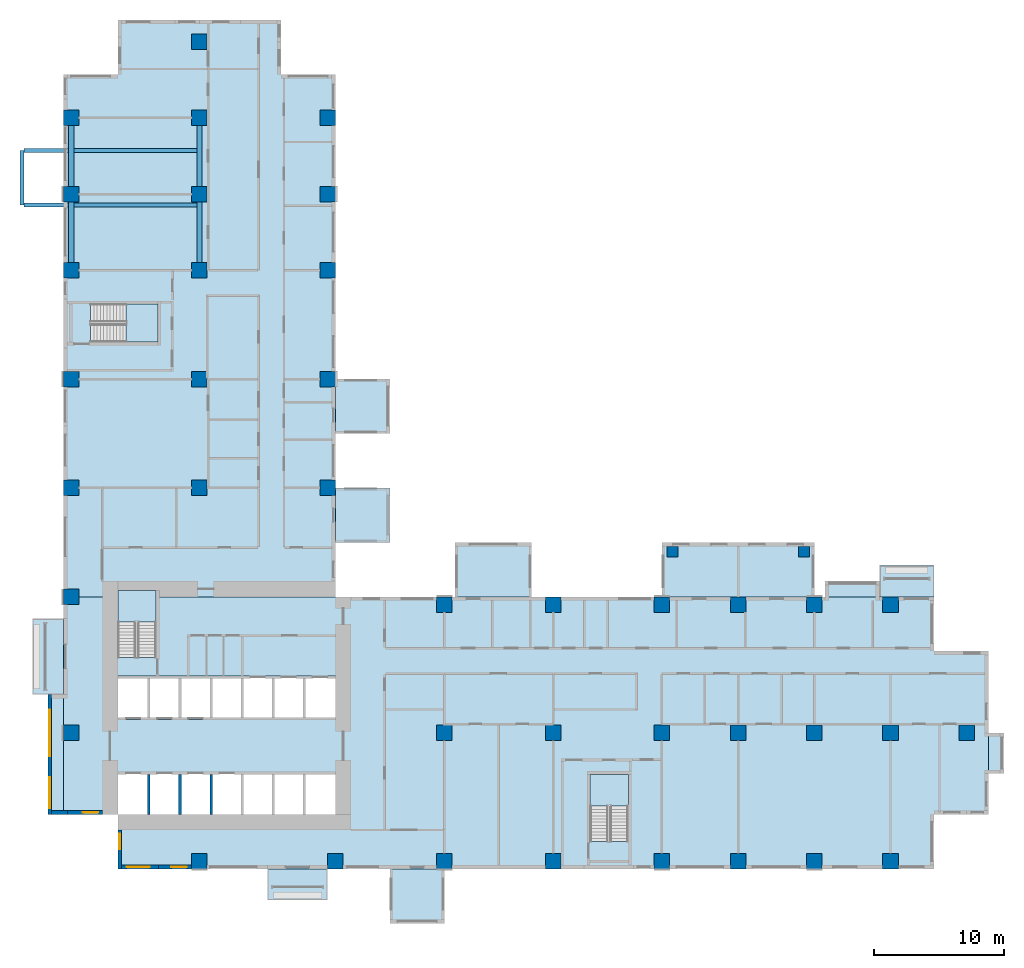
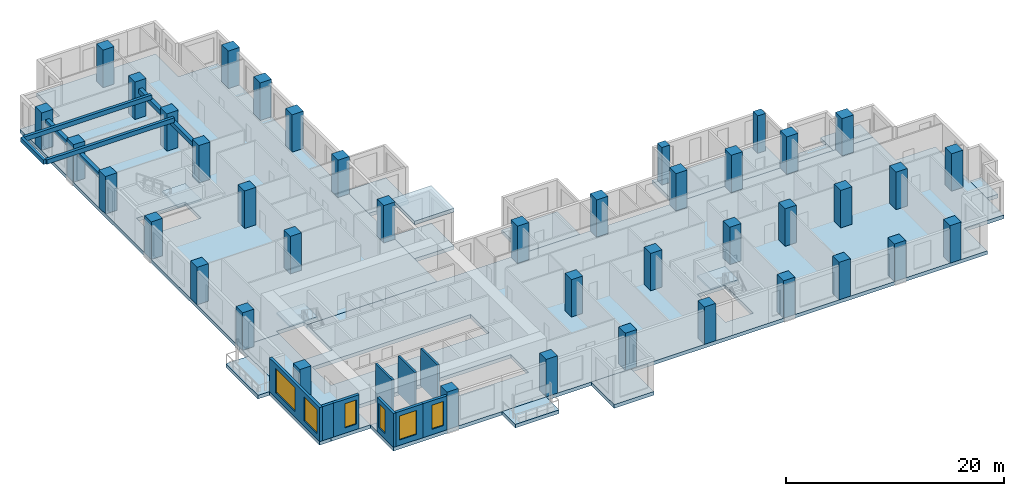
# One storey, part 1 of 15: 41 columns, 17 slabs, 9 walls, 7 beams, 6 windows, 6 openings, 3 elements without a shape of their own.
"""IFC4 building model written with IfcOpenShell, lengths in metres."""

from ifc_helpers import new_model, si_unit, direction, frame, frame_2d, origin, origin_2d, place, context, subcontext, project, spatial, polyline, rectangle, outline, extrude, source, transform, mapped, material, layer, layer_set, material_profile, profile_set, type_object, element, fill, aggregate, save


model = new_model("IFC4")

# Units and contexts
model_context = context("Model", 3, precision=1e-05, world=origin(), true_north=direction((0.0, 1.0)))
body_context = subcontext(model_context, "Body", "Model", "MODEL_VIEW")
ifc_project = project(units=[si_unit("LENGTHUNIT", "METRE"), si_unit("AREAUNIT", "SQUARE_METRE"), si_unit("VOLUMEUNIT", "CUBIC_METRE"), si_unit("PLANEANGLEUNIT", "RADIAN"), si_unit("MASSUNIT", "GRAM", prefix="KILO")], contexts=[model_context])

# Site, building, storey
site_placement = place(None, origin())
site = spatial("IfcSite", under=ifc_project, at=site_placement, CompositionType="ELEMENT")
building_placement = place(site_placement, origin())
building = spatial("IfcBuilding", under=site, at=building_placement, Name="Aurelian Terraces", CompositionType="ELEMENT")
storey_placement = place(building_placement, frame((0.0, 0.0, 65.7)))
storey = spatial("IfcBuildingStorey", under=building, at=storey_placement, Name="L13", CompositionType="ELEMENT", Elevation=65.7)

# Columns
ifc_material_1 = material(Name="Concrete fc' 83 MPa", Category="concrete")
ifc_material_profile_1 = material_profile(ifc_material_1, rectangle(XDim=1.2, YDim=1.2, at=origin_2d()))
ifc_profile_set_1 = profile_set([ifc_material_profile_1], Name="Concrete fc' 83 MPa")
column_type_1 = type_object("IfcColumnType", Name="RC COLUMN 1200X1200 FC83", PredefinedType="COLUMN", material=ifc_profile_set_1)
shared_shape_1 = source(origin(), body_context, "Body", "SweptSolid", [
    extrude(rectangle(XDim=1.2, YDim=1.2, at=origin_2d()), origin(), (0.0, 0.0, 1.0), 4.2),
])
for number, where, z_axis, x_axis, name in (
    (1, (10.5, 0.6, 0.0), (0.0, 0.0, 1.0), (1.0, 0.0, 0.0), "Column 2/A L13"),
    (2, (21.0, 0.6, 0.0), (0.0, 0.0, 1.0), (1.0, 0.0, 0.0), "Column 3/A L13"),
    (3, (29.4, 0.6, 0.0), (0.0, 0.0, 1.0), (1.0, 0.0, 0.0), "Column 4/A L13"),
    (4, (37.8, 0.6, 0.0), (0.0, 0.0, 1.0), (1.0, 0.0, 0.0), "Column 5/A L13"),
    (5, (46.2, 0.6, 0.0), (0.0, 0.0, 1.0), (1.0, 0.0, 0.0), "Column 6/A L13"),
    (6, (52.08, 0.6, 0.0), (0.0, 0.0, 1.0), (1.0, 0.0, 0.0), "Column 7/A L13"),
    (7, (57.96, 0.6, 0.0), (0.0, 0.0, 1.0), (1.0, 0.0, 0.0), "Column 8/A L13"),
    (8, (63.84, 0.6, 0.0), (0.0, 0.0, 1.0), (1.0, 0.0, 0.0), "Column 9/A L13"),
    (9, (0.6, 10.5, 0.0), (0.0, 0.0, 1.0), (1.0, 0.0, 0.0), "Column 1/B L13"),
    (10, (29.4, 10.5, 0.0), (0.0, 0.0, 1.0), (1.0, 0.0, 0.0), "Column 4/B L13"),
    (11, (37.8, 10.5, 0.0), (0.0, 0.0, 1.0), (1.0, 0.0, 0.0), "Column 5/B L13"),
    (12, (46.2, 10.5, 0.0), (0.0, 0.0, 1.0), (1.0, 0.0, 0.0), "Column 6/B L13"),
    (13, (52.08, 10.5, 0.0), (0.0, 0.0, 1.0), (1.0, 0.0, 0.0), "Column 7/B L13"),
    (14, (57.96, 10.5, 0.0), (0.0, 0.0, 1.0), (1.0, 0.0, 0.0), "Column 8/B L13"),
    (15, (63.84, 10.5, 0.0), (0.0, 0.0, 1.0), (1.0, 0.0, 0.0), "Column 9/B L13"),
    (16, (69.72, 10.5, 0.0), (0.0, 0.0, 1.0), (1.0, 0.0, 0.0), "Column 10/B L13"),
    (17, (0.6, 21.0, 0.0), (0.0, 0.0, 1.0), (1.0, 0.0, 0.0), "Column 1/C L13"),
    (18, (29.4, 20.4, 0.0), (0.0, 0.0, 1.0), (1.0, 0.0, 0.0), "Column 4/C L13"),
    (19, (37.8, 20.4, 0.0), (0.0, 0.0, 1.0), (1.0, 0.0, 0.0), "Column 5/C L13"),
    (20, (46.2, 20.4, 0.0), (0.0, 0.0, 1.0), (1.0, 0.0, 0.0), "Column 6/C L13"),
    (21, (52.08, 20.4, 0.0), (0.0, 0.0, 1.0), (1.0, 0.0, 0.0), "Column 7/C L13"),
    (22, (57.96, 20.4, 0.0), (0.0, 0.0, 1.0), (1.0, 0.0, 0.0), "Column 8/C L13"),
    (23, (63.84, 20.4, 0.0), (0.0, 0.0, 1.0), (1.0, 0.0, 0.0), "Column 9/C L13"),
    (24, (0.6, 29.4, 0.0), (0.0, 0.0, 1.0), (1.0, 0.0, 0.0), "Column 1/D L13"),
    (25, (10.5, 29.4, 0.0), (0.0, 0.0, 1.0), (1.0, 0.0, 0.0), "Column 2/D L13"),
    (26, (20.4, 29.4, 0.0), (0.0, 0.0, 1.0), (1.0, 0.0, 0.0), "Column 3/D L13"),
    (27, (0.6, 37.8, 0.0), (0.0, 0.0, 1.0), (1.0, 0.0, 0.0), "Column 1/E L13"),
    (28, (10.5, 37.8, 0.0), (0.0, 0.0, 1.0), (1.0, 0.0, 0.0), "Column 2/E L13"),
    (29, (20.4, 37.8, 0.0), (0.0, 0.0, 1.0), (1.0, 0.0, 0.0), "Column 3/E L13"),
    (30, (0.6, 46.2, 0.0), (0.0, 0.0, 1.0), (1.0, 0.0, 0.0), "Column 1/F L13"),
    (31, (10.5, 46.2, 0.0), (0.0, 0.0, 1.0), (1.0, 0.0, 0.0), "Column 2/F L13"),
    (32, (20.4, 46.2, 0.0), (0.0, 0.0, 1.0), (1.0, 0.0, 0.0), "Column 3/F L13"),
    (33, (0.6, 52.08, 0.0), (0.0, 0.0, 1.0), (1.0, 0.0, 0.0), "Column 1/G L13"),
    (34, (10.5, 52.08, 0.0), (0.0, 0.0, 1.0), (1.0, 0.0, 0.0), "Column 2/G L13"),
    (35, (20.4, 52.08, 0.0), (0.0, 0.0, 1.0), (1.0, 0.0, 0.0), "Column 3/G L13"),
    (36, (0.6, 57.96, 0.0), (0.0, 0.0, 1.0), (1.0, 0.0, 0.0), "Column 1/H L13"),
    (37, (10.5, 57.96, 0.0), (0.0, 0.0, 1.0), (1.0, 0.0, 0.0), "Column 2/H L13"),
    (38, (20.4, 57.96, 0.0), (0.0, 0.0, 1.0), (1.0, 0.0, 0.0), "Column 3/H L13"),
    (39, (10.5, 63.84, 0.0), (0.0, 0.0, 1.0), (1.0, 0.0, 0.0), "Column 2/I L13"),
):
    element("IfcColumn", number, at=place(storey_placement, frame(where, z_axis=z_axis, x_axis=x_axis)), inside=storey, type_object=column_type_1, Name=name, PredefinedType="COLUMN", context=body_context, shape_type="MappedRepresentation", body=[
        mapped(shared_shape_1, transform((0.0, 0.0, 0.0), scale=1.0)),
    ])
ifc_material_2 = material(Name="Concrete fc' 55 MPa", Category="concrete")
ifc_material_profile_2 = material_profile(ifc_material_2, rectangle(XDim=0.84, YDim=0.84, at=origin_2d()))
ifc_profile_set_2 = profile_set([ifc_material_profile_2], Name="Concrete fc' 55 MPa")
column_type_2 = type_object("IfcColumnType", Name="BLOCK CORNER PIER 840X840", PredefinedType="COLUMN", material=ifc_profile_set_2)
shared_shape_2 = source(origin(), body_context, "Body", "SweptSolid", [
    extrude(rectangle(XDim=0.84, YDim=0.84, at=origin_2d()), origin(), (0.0, 0.0, 1.0), 4.2),
])
for number, where, z_axis, x_axis, name in (
    (40, (47.0, 24.48, 0.0), (0.0, 0.0, 1.0), (1.0, 0.0, 0.0), "Block pier K01.1 L13"),
    (41, (57.16, 24.48, 0.0), (0.0, 0.0, 1.0), (1.0, 0.0, 0.0), "Block pier K01.2 L13"),
):
    element("IfcColumn", number, at=place(storey_placement, frame(where, z_axis=z_axis, x_axis=x_axis)), inside=storey, type_object=column_type_2, Name=name, PredefinedType="COLUMN", context=body_context, shape_type="MappedRepresentation", body=[
        mapped(shared_shape_2, transform((0.0, 0.0, 0.0), scale=1.0)),
    ])

# Beams
ifc_material_3 = material(Name="Concrete fc' 40 MPa", Category="concrete")
ifc_material_profile_3 = material_profile(ifc_material_3, rectangle(XDim=0.4, YDim=0.5, at=origin_2d()))
ifc_profile_set_3 = profile_set([ifc_material_profile_3], Name="Concrete fc' 40 MPa")
beam_type_1 = type_object("IfcBeamType", Name="CONCRETE EDGE GIRDER 400X500", PredefinedType="BEAM", material=ifc_profile_set_3)
shared_shape_3 = source(origin(), body_context, "Body", "SweptSolid", [
    extrude(rectangle(XDim=0.4, YDim=0.5, at=origin_2d()), origin(), (0.0, 0.0, 1.0), 4.68),
])
for number, where, z_axis, x_axis, name in (
    (42, (0.6, 46.8, 3.05), (0.0, 1.0, 0.0), (-1.0, 0.0, 0.0), "Box girder L13 O31"),
    (43, (0.6, 52.68, 3.05), (0.0, 1.0, 0.0), (-1.0, 0.0, 0.0), "Box girder L13 O32"),
    (44, (10.5, 46.8, 3.05), (0.0, 1.0, 0.0), (-1.0, 0.0, 0.0), "Box girder L13 I33"),
    (45, (10.5, 52.68, 3.05), (0.0, 1.0, 0.0), (-1.0, 0.0, 0.0), "Box girder L13 I34"),
):
    element("IfcBeam", number, at=place(storey_placement, frame(where, z_axis=z_axis, x_axis=x_axis)), inside=storey, type_object=beam_type_1, Name=name, PredefinedType="BEAM", context=body_context, shape_type="MappedRepresentation", body=[
        mapped(shared_shape_3, transform((0.0, 0.0, 0.0), scale=1.0)),
    ])
ifc_material_profile_4 = material_profile(ifc_material_3, rectangle(XDim=0.3, YDim=0.5, at=origin_2d()))
ifc_profile_set_4 = profile_set([ifc_material_profile_4], Name="Concrete fc' 40 MPa")
beam_type_2 = type_object("IfcBeamType", Name="CONCRETE CANTILEVER BEAM 300X500", PredefinedType="BEAM", material=ifc_profile_set_4)
shared_shape_4 = source(origin(), body_context, "Body", "SweptSolid", [
    extrude(rectangle(XDim=0.3, YDim=0.5, at=origin_2d()), origin(), (0.0, 0.0, 1.0), 13.55),
])
for number, where, z_axis, x_axis, name in (
    (46, (-3.05, 51.24, 3.55), (1.0, 0.0, 0.0), (0.0, 1.0, 0.0), "Box cantilever beam J15.1"),
    (47, (-3.05, 55.44, 3.55), (1.0, 0.0, 0.0), (0.0, 1.0, 0.0), "Box cantilever beam J15.2"),
):
    element("IfcBeam", number, at=place(storey_placement, frame(where, z_axis=z_axis, x_axis=x_axis)), inside=storey, type_object=beam_type_2, Name=name, PredefinedType="BEAM", context=body_context, shape_type="MappedRepresentation", body=[
        mapped(shared_shape_4, transform((0.0, 0.0, 0.0), scale=1.0)),
    ])
shared_shape_5 = source(origin(), body_context, "Body", "SweptSolid", [
    extrude(rectangle(XDim=0.3, YDim=0.5, at=origin_2d()), origin(), (0.0, 0.0, 1.0), 4.2),
])
beam_placement = place(storey_placement, frame((-3.2, 51.24, 3.55), z_axis=(0.0, 1.0, 0.0), x_axis=(-1.0, 0.0, 0.0)))
element("IfcBeam", 48, at=beam_placement, inside=storey, type_object=beam_type_2, Name="Box tip beam J15", PredefinedType="BEAM", context=body_context, shape_type="MappedRepresentation", body=[
    mapped(shared_shape_5, transform((0.0, 0.0, 0.0), scale=1.0)),
])

# Slabs
ifc_layer_1 = layer(ifc_material_3, 0.41)
ifc_layer_set_1 = layer_set([ifc_layer_1], Name="Box floor 410")
slab_type_1 = type_object("IfcSlabType", Name="Box floor 410", PredefinedType="NOTDEFINED", material=ifc_layer_set_1)
slab_1_placement = place(storey_placement, frame((0.0, 0.0, -0.41)))
element("IfcSlab", 49, at=slab_1_placement, inside=storey, type_object=slab_type_1, Name="Box floor L13 J12", PredefinedType="NOTDEFINED", context=body_context, shape_type="SweptSolid", body=[
    extrude(outline(polyline([(25.2, -4.2), (29.4, -4.2), (29.4, 0.0), (25.2, 0.0), (25.2, -4.2)])), origin(), (0.0, 0.0, 1.0), 0.41),
])
slab_2_placement = place(storey_placement, frame((0.0, 0.0, -0.41)))
element("IfcSlab", 50, at=slab_2_placement, inside=storey, type_object=slab_type_1, Name="Box floor L13 J14", PredefinedType="NOTDEFINED", context=body_context, shape_type="SweptSolid", body=[
    extrude(outline(polyline([(25.2, 33.6), (25.2, 37.8), (21.0, 37.8), (21.0, 33.6), (25.2, 33.6)])), origin(), (0.0, 0.0, 1.0), 0.41),
])
ifc_layer_2 = layer(ifc_material_3, 0.4)
ifc_layer_set_2 = layer_set([ifc_layer_2], Name="Box roof 400")
slab_type_2 = type_object("IfcSlabType", Name="Box roof 400", PredefinedType="ROOF", material=ifc_layer_set_2)
slab_3_placement = place(storey_placement, frame((0.0, 0.0, 3.8)))
element("IfcSlab", 51, at=slab_3_placement, inside=storey, type_object=slab_type_2, Name="Box roof J11", PredefinedType="ROOF", context=body_context, shape_type="SweptSolid", body=[
    extrude(outline(polyline([(25.2, 25.2), (25.2, 29.4), (21.0, 29.4), (21.0, 25.2), (25.2, 25.2)])), origin(), (0.0, 0.0, 1.0), 0.4),
])
ifc_layer_3 = layer(ifc_material_3, 0.4)
ifc_layer_set_3 = layer_set([ifc_layer_3], Name="PT FLAT PLATE 400")
slab_type_3 = type_object("IfcSlabType", Name="PT FLAT PLATE 400", PredefinedType="FLOOR", material=ifc_layer_set_3)
shared_shape_6 = source(origin(), body_context, "Body", "SweptSolid", [
    extrude(outline(polyline([(67.2, 16.8), (71.4, 16.8), (71.4, 4.2), (67.2, 4.2), (67.2, 0.0), (21.0, 0.0), (4.2, 0.0), (4.2, 4.2), (0.0, 4.2), (0.0, 21.0), (4.21, 21.0), (4.21, 16.31), (7.14, 16.31), (7.14, 21.0), (21.0, 21.0), (67.2, 21.0), (67.2, 16.8)]), holes=[polyline([(40.66, 2.11), (43.59, 2.11), (43.59, 7.29), (40.66, 7.29), (40.66, 2.11)]), polyline([(4.21, 7.49), (4.21, 4.21), (20.99, 4.21), (20.99, 7.49), (4.21, 7.49)]), polyline([(4.21, 14.89), (4.21, 11.51), (20.99, 11.51), (20.99, 14.89), (4.21, 14.89)])]), origin(), (0.0, 0.0, 1.0), 0.4),
])
slab_4_placement = place(storey_placement, frame((0.0, 0.0, -0.4)))
element("IfcSlab", 52, at=slab_4_placement, inside=storey, type_object=slab_type_3, Name="Floor slab S L13", PredefinedType="FLOOR", context=body_context, shape_type="MappedRepresentation", body=[
    mapped(shared_shape_6, transform((0.0, 0.0, 0.0), scale=1.0)),
])
shared_shape_7 = source(origin(), body_context, "Body", "SweptSolid", [
    extrude(outline(polyline([(7.14, 21.0), (7.14, 21.49), (4.21, 21.49), (4.21, 21.0), (0.0, 21.0), (0.0, 61.32), (4.2, 61.32), (4.2, 65.52), (16.8, 65.52), (16.8, 61.32), (21.0, 61.32), (21.0, 21.0), (7.14, 21.0)]), holes=[polyline([(7.29, 43.59), (2.11, 43.59), (2.11, 40.66), (7.29, 40.66), (7.29, 43.59)])]), origin(), (0.0, 0.0, 1.0), 0.4),
])
slab_5_placement = place(storey_placement, frame((0.0, 0.0, -0.4)))
element("IfcSlab", 53, at=slab_5_placement, inside=storey, type_object=slab_type_3, Name="Floor slab W L13", PredefinedType="FLOOR", context=body_context, shape_type="MappedRepresentation", body=[
    mapped(shared_shape_7, transform((0.0, 0.0, 0.0), scale=1.0)),
])
ifc_layer_4 = layer(ifc_material_3, 0.4)
ifc_layer_set_4 = layer_set([ifc_layer_4], Name="Bay floor 400")
slab_type_4 = type_object("IfcSlabType", Name="Bay floor 400", PredefinedType="NOTDEFINED", material=ifc_layer_set_4)
shared_shape_8 = source(origin(), body_context, "Body", "SweptSolid", [
    extrude(outline(polyline([(63.0, 21.0), (58.8, 21.0), (58.8, 22.2), (63.0, 22.2), (63.0, 21.0)])), origin(), (0.0, 0.0, 1.0), 0.4),
])
slab_6_placement = place(storey_placement, frame((0.0, 0.0, -0.4)))
element("IfcSlab", 54, at=slab_6_placement, inside=storey, type_object=slab_type_4, Name="Bay floor L13 F07.21", PredefinedType="NOTDEFINED", context=body_context, shape_type="MappedRepresentation", body=[
    mapped(shared_shape_8, transform((0.0, 0.0, 0.0), scale=1.0)),
])
ifc_layer_5 = layer(ifc_material_3, 0.4)
ifc_layer_set_5 = layer_set([ifc_layer_5], Name="Balcony slab 400")
slab_type_5 = type_object("IfcSlabType", Name="Balcony slab 400", PredefinedType="NOTDEFINED", material=ifc_layer_set_5)
shared_shape_9 = source(origin(), body_context, "Body", "SweptSolid", [
    extrude(outline(polyline([(0.0, 19.32), (0.0, 13.44), (-2.4, 13.44), (-2.4, 19.32), (0.0, 19.32)])), origin(), (0.0, 0.0, 1.0), 0.4),
])
slab_7_placement = place(storey_placement, frame((0.0, 0.0, -0.4)))
element("IfcSlab", 55, at=slab_7_placement, inside=storey, type_object=slab_type_5, Name="Balcony slab L13 F14.39", PredefinedType="NOTDEFINED", context=body_context, shape_type="MappedRepresentation", body=[
    mapped(shared_shape_9, transform((0.0, 0.0, 0.0), scale=1.0)),
])
shared_shape_10 = source(origin(), body_context, "Body", "SweptSolid", [
    extrude(outline(polyline([(71.4, 7.35), (71.4, 10.5), (72.6, 10.5), (72.6, 7.35), (71.4, 7.35)])), origin(), (0.0, 0.0, 1.0), 0.4),
])
slab_8_placement = place(storey_placement, frame((0.0, 0.0, -0.4)))
element("IfcSlab", 56, at=slab_8_placement, inside=storey, type_object=slab_type_4, Name="Bay floor L13 F04.16", PredefinedType="NOTDEFINED", context=body_context, shape_type="MappedRepresentation", body=[
    mapped(shared_shape_10, transform((0.0, 0.0, 0.0), scale=1.0)),
])
shared_shape_11 = source(origin(), body_context, "Body", "SweptSolid", [
    extrude(outline(polyline([(57.96, 25.2), (46.2, 25.2), (46.2, 21.0), (57.96, 21.0), (57.96, 25.2)])), origin(), (0.0, 0.0, 1.0), 0.41),
])
slab_9_placement = place(storey_placement, frame((0.0, 0.0, -0.41)))
element("IfcSlab", 57, at=slab_9_placement, inside=storey, type_object=slab_type_1, Name="Box floor L13 K01", PredefinedType="NOTDEFINED", context=body_context, shape_type="MappedRepresentation", body=[
    mapped(shared_shape_11, transform((0.0, 0.0, 0.0), scale=1.0)),
])
shared_shape_12 = source(origin(), body_context, "Body", "SweptSolid", [
    extrude(outline(polyline([(36.12, 25.2), (30.24, 25.2), (30.24, 21.0), (36.12, 21.0), (36.12, 25.2)])), origin(), (0.0, 0.0, 1.0), 0.41),
])
slab_10_placement = place(storey_placement, frame((0.0, 0.0, -0.41)))
element("IfcSlab", 58, at=slab_10_placement, inside=storey, type_object=slab_type_1, Name="Box floor L13 J13", PredefinedType="NOTDEFINED", context=body_context, shape_type="MappedRepresentation", body=[
    mapped(shared_shape_12, transform((0.0, 0.0, 0.0), scale=1.0)),
])
shared_shape_13 = source(origin(), body_context, "Body", "SweptSolid", [
    extrude(outline(polyline([(67.2, 21.0), (63.0, 21.0), (63.0, 23.4), (67.2, 23.4), (67.2, 21.0)])), origin(), (0.0, 0.0, 1.0), 0.4),
])
slab_11_placement = place(storey_placement, frame((0.0, 0.0, -0.4)))
element("IfcSlab", 59, at=slab_11_placement, inside=storey, type_object=slab_type_5, Name="Balcony slab L13 F07.20", PredefinedType="NOTDEFINED", context=body_context, shape_type="MappedRepresentation", body=[
    mapped(shared_shape_13, transform((0.0, 0.0, 0.0), scale=1.0)),
])
shared_shape_14 = source(origin(), body_context, "Body", "SweptSolid", [
    extrude(outline(polyline([(25.2, 25.2), (25.2, 29.4), (21.0, 29.4), (21.0, 25.2), (25.2, 25.2)])), origin(), (0.0, 0.0, 1.0), 0.41),
])
slab_12_placement = place(storey_placement, frame((0.0, 0.0, -0.41)))
element("IfcSlab", 60, at=slab_12_placement, inside=storey, type_object=slab_type_1, Name="Box floor L13 J11", PredefinedType="NOTDEFINED", context=body_context, shape_type="MappedRepresentation", body=[
    mapped(shared_shape_14, transform((0.0, 0.0, 0.0), scale=1.0)),
])
shared_shape_15 = source(origin(), body_context, "Body", "SweptSolid", [
    extrude(outline(polyline([(15.75, 0.0), (20.4, 0.0), (20.4, -2.4), (15.75, -2.4), (15.75, 0.0)])), origin(), (0.0, 0.0, 1.0), 0.4),
])
slab_13_placement = place(storey_placement, frame((0.0, 0.0, -0.4)))
element("IfcSlab", 61, at=slab_13_placement, inside=storey, type_object=slab_type_5, Name="Balcony slab L13 F01.4", PredefinedType="NOTDEFINED", context=body_context, shape_type="MappedRepresentation", body=[
    mapped(shared_shape_15, transform((0.0, 0.0, 0.0), scale=1.0)),
])
shared_shape_16 = source(origin(), body_context, "Body", "SweptSolid", [
    extrude(outline(polyline([(0.0, 13.44), (0.0, 4.2), (-1.2, 4.2), (-1.2, 13.44), (0.0, 13.44)])), origin(), (0.0, 0.0, 1.0), 0.4),
])
slab_14_placement = place(storey_placement, frame((0.0, 0.0, -0.4)))
element("IfcSlab", 62, at=slab_14_placement, inside=storey, type_object=slab_type_4, Name="Bay floor L13 F14.40", PredefinedType="NOTDEFINED", context=body_context, shape_type="MappedRepresentation", body=[
    mapped(shared_shape_16, transform((0.0, 0.0, 0.0), scale=1.0)),
])

# Stair, slab
stair_type = type_object("IfcStairType", Name="Stair 1400", PredefinedType="HALF_TURN_STAIR", material=ifc_material_3)
stair_1_placement = place(storey_placement, origin())
stair_1 = element("IfcStair", 63, at=stair_1_placement, inside=storey, type_object=stair_type, Name="L13 S1", PredefinedType="HALF_TURN_STAIR")
ifc_layer_6 = layer(ifc_material_3, 0.2)
ifc_layer_set_6 = layer_set([ifc_layer_6], Name="Stair landing 200")
slab_type_6 = type_object("IfcSlabType", Name="Stair landing 200", PredefinedType="LANDING", material=ifc_layer_set_6)
shared_shape_17 = source(origin(), body_context, "Body", "SweptSolid", [
    extrude(outline(polyline([(7.15, 19.05), (7.15, 21.5), (4.2, 21.5), (4.2, 19.05), (7.15, 19.05)])), origin(), (0.0, 0.0, 1.0), 0.2),
])
slab_15_placement = place(storey_placement, frame((0.0, 0.0, 1.9)))
slab_15 = element("IfcSlab", 64, at=slab_15_placement, type_object=slab_type_6, Name="S1 landing 1", PredefinedType="LANDING", context=body_context, shape_type="MappedRepresentation", body=[
    mapped(shared_shape_17, transform((0.0, 0.0, 0.0), scale=1.0)),
])
aggregate(stair_1, [slab_15])

stair_2_placement = place(storey_placement, origin())
stair_2 = element("IfcStair", 65, at=stair_2_placement, inside=storey, type_object=stair_type, Name="L13 S2", PredefinedType="HALF_TURN_STAIR")
shared_shape_18 = source(origin(), body_context, "Body", "SweptSolid", [
    extrude(outline(polyline([(43.6, 4.85), (43.6, 7.3), (40.65, 7.3), (40.65, 4.85), (43.6, 4.85)])), origin(), (0.0, 0.0, 1.0), 0.2),
])
slab_16_placement = place(storey_placement, frame((0.0, 0.0, 1.9)))
slab_16 = element("IfcSlab", 66, at=slab_16_placement, type_object=slab_type_6, Name="S2 landing 1", PredefinedType="LANDING", context=body_context, shape_type="MappedRepresentation", body=[
    mapped(shared_shape_18, transform((0.0, 0.0, 0.0), scale=1.0)),
])
aggregate(stair_2, [slab_16])

stair_3_placement = place(storey_placement, origin())
stair_3 = element("IfcStair", 67, at=stair_3_placement, inside=storey, type_object=stair_type, Name="L13 S3", PredefinedType="HALF_TURN_STAIR")
shared_shape_19 = source(origin(), body_context, "Body", "SweptSolid", [
    extrude(outline(polyline([(4.85, 40.65), (7.3, 40.65), (7.3, 43.6), (4.85, 43.6), (4.85, 40.65)])), origin(), (0.0, 0.0, 1.0), 0.2),
])
slab_17_placement = place(storey_placement, frame((0.0, 0.0, 1.9)))
slab_17 = element("IfcSlab", 68, at=slab_17_placement, type_object=slab_type_6, Name="S3 landing 1", PredefinedType="LANDING", context=body_context, shape_type="MappedRepresentation", body=[
    mapped(shared_shape_19, transform((0.0, 0.0, 0.0), scale=1.0)),
])
aggregate(stair_3, [slab_17])

# Wall, opening, window
ifc_material_4 = material(Name="Terracotta rainscreen cladding", Category="masonry")
ifc_layer_7 = layer(ifc_material_4, 0.3)
ifc_layer_set_7 = layer_set([ifc_layer_7], Name="EW-300")
wall_type_1 = type_object("IfcWallType", Name="EW-300", PredefinedType="STANDARD", material=ifc_layer_set_7)
shared_shape_20 = source(origin(), body_context, "Body", "SweptSolid", [
    extrude(rectangle(XDim=3.15, YDim=0.3, at=frame_2d((1.575, 0.0))), origin(), (0.0, 0.0, 1.0), 3.8),
])
wall_1_placement = place(storey_placement, frame((4.2, 0.15, 0.0), z_axis=(0.0, 0.0, 1.0), x_axis=(1.0, 0.0, 0.0)))
wall_1 = element("IfcWall", 69, at=wall_1_placement, inside=storey, type_object=wall_type_1, Name="External wall L13 F01.1", PredefinedType="STANDARD", context=body_context, shape_type="MappedRepresentation", body=[
    mapped(shared_shape_20, transform((0.0, 0.0, 0.0), scale=1.0)),
])
shared_shape_21 = source(origin(), body_context, "Body", "SweptSolid", [
    extrude(rectangle(XDim=1.8, YDim=2.7, at=frame_2d((0.9, 1.35))), frame((0.0, 0.16, 0.0), z_axis=(0.0, -1.0, 0.0), x_axis=(1.0, 0.0, 0.0)), (0.0, 0.0, 1.0), 0.32),
])
opening_1_placement = place(wall_1_placement, frame((0.675, 0.0, 0.6)))
opening_1 = element("IfcOpeningElement", 70, at=opening_1_placement, cuts=wall_1, Name="Opening W1827", PredefinedType="OPENING", context=body_context, shape_type="MappedRepresentation", body=[
    mapped(shared_shape_21, transform((0.0, 0.0, 0.0), scale=1.0)),
])
ifc_material_5 = material(Name="Clear glazing", Category="glass")
window_type_1 = type_object("IfcWindowType", Name="W-1800x2700", PartitioningType="SINGLE_PANEL", PredefinedType="WINDOW", material=ifc_material_5)
shared_shape_22 = source(origin(), body_context, "Body", "SweptSolid", [
    extrude(rectangle(XDim=1.8, YDim=2.7, at=frame_2d((0.9, 1.35))), frame((0.0, 0.03, 0.0), z_axis=(0.0, -1.0, 0.0), x_axis=(1.0, 0.0, 0.0)), (0.0, 0.0, 1.0), 0.06),
])
window_1_placement = place(opening_1_placement, origin())
window_1 = element("IfcWindow", 71, at=window_1_placement, inside=storey, type_object=window_type_1, Name="Window L13 L13-F01-01-0", OverallHeight=2.7, OverallWidth=1.8, PartitioningType="SINGLE_PANEL", PredefinedType="WINDOW", context=body_context, shape_type="MappedRepresentation", body=[
    mapped(shared_shape_22, transform((0.0, 0.0, 0.0), scale=1.0)),
])
fill(opening_1, window_1)

# Wall
shared_shape_23 = source(origin(), body_context, "Body", "SweptSolid", [
    extrude(rectangle(XDim=1.2, YDim=0.3, at=frame_2d((0.6, 0.0))), origin(), (0.0, 0.0, 1.0), 3.8),
])
wall_2_placement = place(storey_placement, frame((0.3, 4.35, 0.0), z_axis=(0.0, 0.0, 1.0), x_axis=(-1.0, 0.0, 0.0)))
element("IfcWall", 72, at=wall_2_placement, inside=storey, type_object=wall_type_1, Name="Bay return L13 F14.40.2", PredefinedType="STANDARD", context=body_context, shape_type="MappedRepresentation", body=[
    mapped(shared_shape_23, transform((0.0, 0.0, 0.0), scale=1.0)),
])

# Wall, opening, window
shared_shape_24 = source(origin(), body_context, "Body", "SweptSolid", [
    extrude(rectangle(XDim=3.0, YDim=0.3, at=frame_2d((1.5, 0.0))), origin(), (0.0, 0.0, 1.0), 3.8),
])
wall_3_placement = place(storey_placement, frame((0.0, 4.35, 0.0), z_axis=(0.0, 0.0, 1.0), x_axis=(1.0, 0.0, 0.0)))
wall_3 = element("IfcWall", 73, at=wall_3_placement, inside=storey, type_object=wall_type_1, Name="External wall L13 F15.41", PredefinedType="STANDARD", context=body_context, shape_type="MappedRepresentation", body=[
    mapped(shared_shape_24, transform((0.0, 0.0, 0.0), scale=1.0)),
])
shared_shape_25 = source(origin(), body_context, "Body", "SweptSolid", [
    extrude(rectangle(XDim=1.2, YDim=2.7, at=frame_2d((0.6, 1.35))), frame((0.0, 0.16, 0.0), z_axis=(0.0, -1.0, 0.0), x_axis=(1.0, 0.0, 0.0)), (0.0, 0.0, 1.0), 0.32),
])
opening_2_placement = place(wall_3_placement, frame((1.5, 0.0, 0.6)))
opening_2 = element("IfcOpeningElement", 74, at=opening_2_placement, cuts=wall_3, Name="Opening W1227", PredefinedType="OPENING", context=body_context, shape_type="MappedRepresentation", body=[
    mapped(shared_shape_25, transform((0.0, 0.0, 0.0), scale=1.0)),
])
window_type_2 = type_object("IfcWindowType", Name="W-1200x2700", PartitioningType="SINGLE_PANEL", PredefinedType="WINDOW", material=ifc_material_5)
shared_shape_26 = source(origin(), body_context, "Body", "SweptSolid", [
    extrude(rectangle(XDim=1.2, YDim=2.7, at=frame_2d((0.6, 1.35))), frame((0.0, 0.03, 0.0), z_axis=(0.0, -1.0, 0.0), x_axis=(1.0, 0.0, 0.0)), (0.0, 0.0, 1.0), 0.06),
])
window_2_placement = place(opening_2_placement, origin())
window_2 = element("IfcWindow", 75, at=window_2_placement, inside=storey, type_object=window_type_2, Name="Window L13 L13-F15-41-0", OverallHeight=2.7, OverallWidth=1.2, PartitioningType="SINGLE_PANEL", PredefinedType="WINDOW", context=body_context, shape_type="MappedRepresentation", body=[
    mapped(shared_shape_26, transform((0.0, 0.0, 0.0), scale=1.0)),
])
fill(opening_2, window_2)

wall_4_placement = place(storey_placement, frame((4.35, 3.0, 0.0), z_axis=(0.0, 0.0, 1.0), x_axis=(0.0, -1.0, 0.0)))
wall_4 = element("IfcWall", 76, at=wall_4_placement, inside=storey, type_object=wall_type_1, Name="External wall L13 F16.42", PredefinedType="STANDARD", context=body_context, shape_type="MappedRepresentation", body=[
    mapped(shared_shape_24, transform((0.0, 0.0, 0.0), scale=1.0)),
])
opening_3_placement = place(wall_4_placement, frame((0.3, 0.0, 0.6)))
opening_3 = element("IfcOpeningElement", 77, at=opening_3_placement, cuts=wall_4, Name="Opening W1227", PredefinedType="OPENING", context=body_context, shape_type="MappedRepresentation", body=[
    mapped(shared_shape_25, transform((0.0, 0.0, 0.0), scale=1.0)),
])
window_3_placement = place(opening_3_placement, origin())
window_3 = element("IfcWindow", 78, at=window_3_placement, inside=storey, type_object=window_type_2, Name="Window L13 L13-F16-42-0", OverallHeight=2.7, OverallWidth=1.2, PartitioningType="SINGLE_PANEL", PredefinedType="WINDOW", context=body_context, shape_type="MappedRepresentation", body=[
    mapped(shared_shape_26, transform((0.0, 0.0, 0.0), scale=1.0)),
])
fill(opening_3, window_3)

shared_shape_27 = source(origin(), body_context, "Body", "SweptSolid", [
    extrude(rectangle(XDim=2.55, YDim=0.3, at=frame_2d((1.275, 0.0))), origin(), (0.0, 0.0, 1.0), 3.8),
])
wall_5_placement = place(storey_placement, frame((7.35, 0.15, 0.0), z_axis=(0.0, 0.0, 1.0), x_axis=(1.0, 0.0, 0.0)))
wall_5 = element("IfcWall", 79, at=wall_5_placement, inside=storey, type_object=wall_type_1, Name="External wall L13 F01.2", PredefinedType="STANDARD", context=body_context, shape_type="MappedRepresentation", body=[
    mapped(shared_shape_27, transform((0.0, 0.0, 0.0), scale=1.0)),
])
opening_4_placement = place(wall_5_placement, frame((0.975, 0.0, 0.6)))
opening_4 = element("IfcOpeningElement", 80, at=opening_4_placement, cuts=wall_5, Name="Opening W1227", PredefinedType="OPENING", context=body_context, shape_type="MappedRepresentation", body=[
    mapped(shared_shape_25, transform((0.0, 0.0, 0.0), scale=1.0)),
])
window_4_placement = place(opening_4_placement, origin())
window_4 = element("IfcWindow", 81, at=window_4_placement, inside=storey, type_object=window_type_2, Name="Window L13 L13-F01-02-0", OverallHeight=2.7, OverallWidth=1.2, PartitioningType="SINGLE_PANEL", PredefinedType="WINDOW", context=body_context, shape_type="MappedRepresentation", body=[
    mapped(shared_shape_26, transform((0.0, 0.0, 0.0), scale=1.0)),
])
fill(opening_4, window_4)

# Wall, openings, windows
shared_shape_28 = source(origin(), body_context, "Body", "SweptSolid", [
    extrude(rectangle(XDim=9.24, YDim=0.3, at=frame_2d((4.62, 0.0))), origin(), (0.0, 0.0, 1.0), 3.8),
])
wall_6_placement = place(storey_placement, frame((-1.05, 13.44, 0.0), z_axis=(0.0, 0.0, 1.0), x_axis=(0.0, -1.0, 0.0)))
wall_6 = element("IfcWall", 82, at=wall_6_placement, inside=storey, type_object=wall_type_1, Name="Bay wall L13 F14.40", PredefinedType="STANDARD", context=body_context, shape_type="MappedRepresentation", body=[
    mapped(shared_shape_28, transform((0.0, 0.0, 0.0), scale=1.0)),
])
shared_shape_29 = source(origin(), body_context, "Body", "SweptSolid", [
    extrude(rectangle(XDim=3.6, YDim=2.7, at=frame_2d((1.8, 1.35))), frame((0.0, 0.16, 0.0), z_axis=(0.0, -1.0, 0.0), x_axis=(1.0, 0.0, 0.0)), (0.0, 0.0, 1.0), 0.32),
])
opening_5_placement = place(wall_6_placement, frame((1.14, 0.0, 0.6)))
opening_5 = element("IfcOpeningElement", 83, at=opening_5_placement, cuts=wall_6, Name="Opening W3627", PredefinedType="OPENING", context=body_context, shape_type="MappedRepresentation", body=[
    mapped(shared_shape_29, transform((0.0, 0.0, 0.0), scale=1.0)),
])
shared_shape_30 = source(origin(), body_context, "Body", "SweptSolid", [
    extrude(rectangle(XDim=2.4, YDim=2.7, at=frame_2d((1.2, 1.35))), frame((0.0, 0.16, 0.0), z_axis=(0.0, -1.0, 0.0), x_axis=(1.0, 0.0, 0.0)), (0.0, 0.0, 1.0), 0.32),
])
opening_6_placement = place(wall_6_placement, frame((6.36, 0.0, 0.6)))
opening_6 = element("IfcOpeningElement", 84, at=opening_6_placement, cuts=wall_6, Name="Opening W2427", PredefinedType="OPENING", context=body_context, shape_type="MappedRepresentation", body=[
    mapped(shared_shape_30, transform((0.0, 0.0, 0.0), scale=1.0)),
])
window_type_3 = type_object("IfcWindowType", Name="W-3600x2700", PartitioningType="SINGLE_PANEL", PredefinedType="WINDOW", material=ifc_material_5)
shared_shape_31 = source(origin(), body_context, "Body", "SweptSolid", [
    extrude(rectangle(XDim=3.6, YDim=2.7, at=frame_2d((1.8, 1.35))), frame((0.0, 0.03, 0.0), z_axis=(0.0, -1.0, 0.0), x_axis=(1.0, 0.0, 0.0)), (0.0, 0.0, 1.0), 0.06),
])
window_5_placement = place(opening_5_placement, origin())
window_5 = element("IfcWindow", 85, at=window_5_placement, inside=storey, type_object=window_type_3, Name="Window L13 L13-F14-40-0", OverallHeight=2.7, OverallWidth=3.6, PartitioningType="SINGLE_PANEL", PredefinedType="WINDOW", context=body_context, shape_type="MappedRepresentation", body=[
    mapped(shared_shape_31, transform((0.0, 0.0, 0.0), scale=1.0)),
])
fill(opening_5, window_5)
window_type_4 = type_object("IfcWindowType", Name="W-2400x2700", PartitioningType="SINGLE_PANEL", PredefinedType="WINDOW", material=ifc_material_5)
shared_shape_32 = source(origin(), body_context, "Body", "SweptSolid", [
    extrude(rectangle(XDim=2.4, YDim=2.7, at=frame_2d((1.2, 1.35))), frame((0.0, 0.03, 0.0), z_axis=(0.0, -1.0, 0.0), x_axis=(1.0, 0.0, 0.0)), (0.0, 0.0, 1.0), 0.06),
])
window_6_placement = place(opening_6_placement, origin())
window_6 = element("IfcWindow", 86, at=window_6_placement, inside=storey, type_object=window_type_4, Name="Window L13 L13-F14-40-1", OverallHeight=2.7, OverallWidth=2.4, PartitioningType="SINGLE_PANEL", PredefinedType="WINDOW", context=body_context, shape_type="MappedRepresentation", body=[
    mapped(shared_shape_32, transform((0.0, 0.0, 0.0), scale=1.0)),
])
fill(opening_6, window_6)

# Walls
ifc_layer_8 = layer(ifc_material_3, 0.2)
ifc_layer_set_8 = layer_set([ifc_layer_8], Name="Lift shaft wall 200")
wall_type_2 = type_object("IfcWallType", Name="Lift shaft wall 200", PredefinedType="SOLIDWALL", material=ifc_layer_set_8)
shared_shape_33 = source(origin(), body_context, "Body", "SweptSolid", [
    extrude(rectangle(XDim=3.1, YDim=0.2, at=frame_2d((1.55, 0.0))), origin(), (0.0, 0.0, 1.0), 4.2),
])
for number, where, z_axis, x_axis, name in (
    (87, (6.6, 4.2, 0.0), (0.0, 0.0, 1.0), (0.0, 1.0, 0.0), "L13 core wall CD-A1"),
    (88, (9.0, 4.2, 0.0), (0.0, 0.0, 1.0), (0.0, 1.0, 0.0), "L13 core wall CD-A2"),
    (89, (11.4, 4.2, 0.0), (0.0, 0.0, 1.0), (0.0, 1.0, 0.0), "L13 core wall CD-A3"),
):
    element("IfcWall", number, at=place(storey_placement, frame(where, z_axis=z_axis, x_axis=x_axis)), inside=storey, type_object=wall_type_2, Name=name, PredefinedType="SOLIDWALL", context=body_context, shape_type="MappedRepresentation", body=[
        mapped(shared_shape_33, transform((0.0, 0.0, 0.0), scale=1.0)),
    ])

save(model, "model.ifc")
